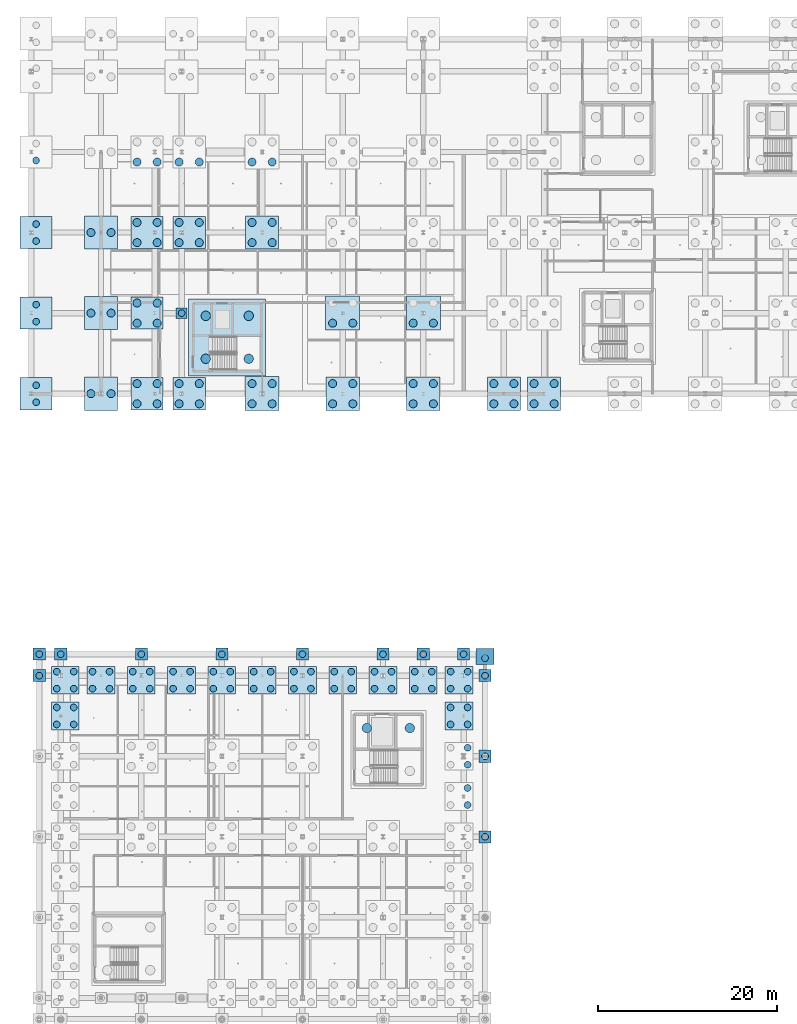
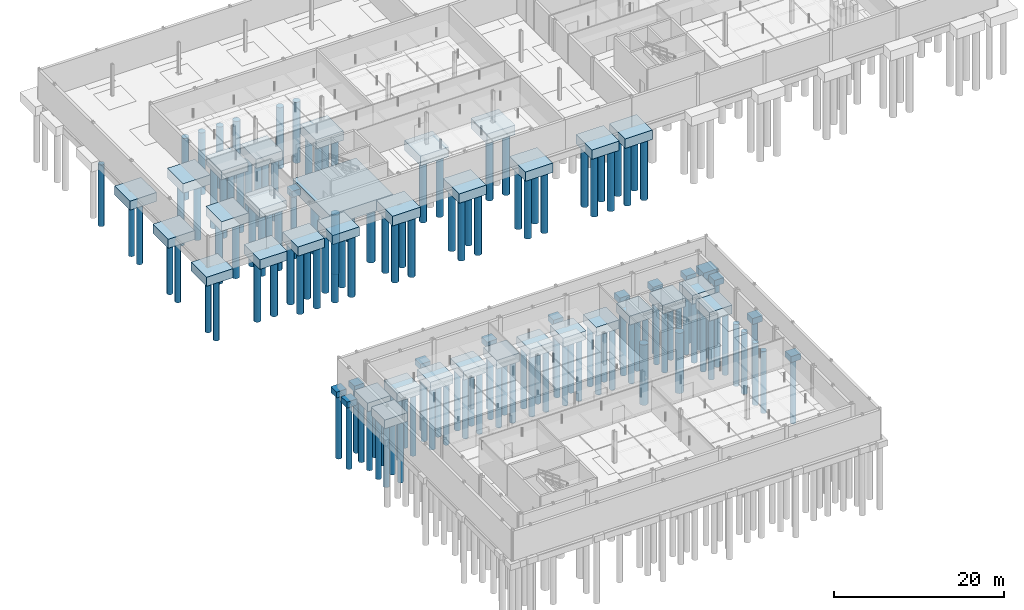
# One storey, part 2 of 48: 143 piles, 47 footings.
"""IFC4 building model written with IfcOpenShell, lengths in metres."""

from ifc_helpers import new_model, si_unit, direction, frame, origin, origin_2d, place, context, subcontext, project, spatial, rectangle, circle, extrude, material, material_profile, profile_set, type_object, element, save


model = new_model("IFC4")

# Units and contexts
model_context = context("Model", 3, precision=1e-05, world=origin(), true_north=direction((0.0, 1.0)))
body_context = subcontext(model_context, "Body", "Model", "MODEL_VIEW")
ifc_project = project(units=[si_unit("LENGTHUNIT", "METRE"), si_unit("AREAUNIT", "SQUARE_METRE"), si_unit("VOLUMEUNIT", "CUBIC_METRE"), si_unit("PLANEANGLEUNIT", "RADIAN"), si_unit("MASSUNIT", "GRAM", prefix="KILO"), si_unit("THERMODYNAMICTEMPERATUREUNIT", "KELVIN"), si_unit("POWERUNIT", "WATT")], contexts=[model_context])

# Site, building, storey
site_placement = place(None, origin())
site = spatial("IfcSite", under=ifc_project, at=site_placement, CompositionType="ELEMENT")
building_placement = place(site_placement, origin())
building = spatial("IfcBuilding", under=site, at=building_placement, Name="Tallowbark Science Centre", CompositionType="ELEMENT")
storey_placement = place(building_placement, frame((0.0, 0.0, -4.5)))
storey = spatial("IfcBuildingStorey", under=building, at=storey_placement, Name="B1", CompositionType="ELEMENT", Elevation=-4.5)

# Footings
ifc_material = material(Name="Concrete Grade N40 (40 MPa)", Category="concrete")
footing_type_1 = type_object("IfcFootingType", Name="FTG-CORE-C1", PredefinedType="PILE_CAP", material=ifc_material)
footing_1_placement = place(storey_placement, frame((77.10009765625, 78.300048828125, -1.60009765625), z_axis=(0.0, 0.0, 1.0), x_axis=(1.0, 0.0, 0.0)))
element("IfcFooting", 1, at=footing_1_placement, inside=storey, type_object=footing_type_1, Name="Core Mat Pile Cap C1", PredefinedType="PILE_CAP", context=body_context, shape_type="SweptSolid", body=[
    extrude(rectangle(XDim=8.60009765625, YDim=8.60009765625, at=origin_2d()), origin(), (0.0, 0.0, 1.0), 1.60009765625),
])
footing_type_2 = type_object("IfcFootingType", Name="FTG-PC1-110", PredefinedType="PILE_CAP", material=ifc_material)
footing_2_placement = place(storey_placement, frame((72.0, 81.0, -0.89990234375), z_axis=(0.0, 0.0, 1.0), x_axis=(1.0, 0.0, 0.0)))
element("IfcFooting", 2, at=footing_2_placement, inside=storey, type_object=footing_type_2, Name="Pile Cap LAB-3_1", PredefinedType="PILE_CAP", context=body_context, shape_type="SweptSolid", body=[
    extrude(rectangle(XDim=1.199951171875, YDim=1.199951171875, at=origin_2d()), origin(), (0.0, 0.0, 1.0), 0.89990234375),
])
footing_type_3 = type_object("IfcFootingType", Name="FTG-PC1-130", PredefinedType="PILE_CAP", material=ifc_material)
for number, where, z_axis, x_axis, name in (
    (3, (56.10009765625, 42.89990234375, -0.85009765625), (0.0, 0.0, 1.0), (1.0, 0.0, 0.0), "Pile Cap SCR-N00"),
    (4, (58.5, 42.89990234375, -0.85009765625), (0.0, 0.0, 1.0), (1.0, 0.0, 0.0), "Pile Cap SCR-N01"),
    (5, (67.5, 42.89990234375, -0.85009765625), (0.0, 0.0, 1.0), (1.0, 0.0, 0.0), "Pile Cap SCR-N02"),
    (6, (76.5, 42.89990234375, -0.85009765625), (0.0, 0.0, 1.0), (1.0, 0.0, 0.0), "Pile Cap SCR-N03"),
    (7, (85.5, 42.89990234375, -0.85009765625), (0.0, 0.0, 1.0), (1.0, 0.0, 0.0), "Pile Cap SCR-N04"),
    (8, (94.5, 42.89990234375, -0.85009765625), (0.0, 0.0, 1.0), (1.0, 0.0, 0.0), "Pile Cap SCR-N05"),
    (9, (103.5, 42.89990234375, -0.85009765625), (0.0, 0.0, 1.0), (1.0, 0.0, 0.0), "Pile Cap SCR-N06"),
    (10, (99.0, 42.89990234375, -0.85009765625), (0.0, 0.0, 1.0), (1.0, 0.0, 0.0), "Pile Cap SCR-NLNK"),
    (11, (105.89990234375, 22.5, -0.85009765625), (0.0, 0.0, 1.0), (1.0, 0.0, 0.0), "Pile Cap SCR-E03"),
    (12, (105.89990234375, 31.5, -0.85009765625), (0.0, 0.0, 1.0), (1.0, 0.0, 0.0), "Pile Cap SCR-E04"),
    (13, (56.10009765625, 40.5, -0.85009765625), (0.0, 0.0, 1.0), (1.0, 0.0, 0.0), "Pile Cap SCR-W05"),
    (14, (105.89990234375, 40.5, -0.85009765625), (0.0, 0.0, 1.0), (1.0, 0.0, 0.0), "Pile Cap SCR-E05"),
):
    element("IfcFooting", number, at=place(storey_placement, frame(where, z_axis=z_axis, x_axis=x_axis)), inside=storey, type_object=footing_type_3, Name=name, PredefinedType="PILE_CAP", context=body_context, shape_type="SweptSolid", body=[
        extrude(rectangle(XDim=1.35009765625, YDim=1.35009765625, at=origin_2d()), origin(), (0.0, 0.0, 1.0), 0.85009765625),
    ])
footing_type_4 = type_object("IfcFootingType", Name="FTG-PC1-160", PredefinedType="PILE_CAP", material=ifc_material)
footing_3_placement = place(storey_placement, frame((105.89990234375, 42.64990234375, -1.0), z_axis=(0.0, 0.0, 1.0), x_axis=(1.0, 0.0, 0.0)))
element("IfcFooting", 15, at=footing_3_placement, inside=storey, type_object=footing_type_4, Name="Pile Cap SCR-N07", PredefinedType="PILE_CAP", context=body_context, shape_type="SweptSolid", body=[
    extrude(rectangle(XDim=2.0, YDim=1.800048828125, at=origin_2d()), origin(), (0.0, 0.0, 1.0), 1.0),
])
footing_type_5 = type_object("IfcFootingType", Name="FTG-PC4-230", PredefinedType="PILE_CAP", material=ifc_material)
for number, where, z_axis, x_axis, name in (
    (16, (59.0, 40.0, -1.25), (0.0, 0.0, 1.0), (1.0, 0.0, 0.0), "Pile Cap CUB-M0_4"),
    (17, (67.5, 40.0, -1.25), (0.0, 0.0, 1.0), (1.0, 0.0, 0.0), "Pile Cap CUB-M1_4"),
    (18, (76.5, 40.0, -1.25), (0.0, 0.0, 1.0), (1.0, 0.0, 0.0), "Pile Cap CUB-M2_4"),
    (19, (85.5, 40.0, -1.25), (0.0, 0.0, 1.0), (1.0, 0.0, 0.0), "Pile Cap CUB-M3_4"),
    (20, (94.5, 40.0, -1.25), (0.0, 0.0, 1.0), (1.0, 0.0, 0.0), "Pile Cap CUB-M4_4"),
    (21, (103.0, 40.0, -1.25), (0.0, 0.0, 1.0), (1.0, 0.0, 0.0), "Pile Cap CUB-M5_4"),
    (22, (63.0, 40.0, -1.25), (0.0, 0.0, 1.0), (1.0, 0.0, 0.0), "Pile Cap CUB-PN-0"),
    (23, (72.0, 40.0, -1.25), (0.0, 0.0, 1.0), (1.0, 0.0, 0.0), "Pile Cap CUB-PN-1"),
    (24, (81.0, 40.0, -1.25), (0.0, 0.0, 1.0), (1.0, 0.0, 0.0), "Pile Cap CUB-PN-2"),
    (25, (90.0, 40.0, -1.25), (0.0, 0.0, 1.0), (1.0, 0.0, 0.0), "Pile Cap CUB-PN-3"),
    (26, (99.0, 40.0, -1.25), (0.0, 0.0, 1.0), (1.0, 0.0, 0.0), "Pile Cap CUB-PN-4"),
    (27, (59.0, 36.0, -1.25), (0.0, 0.0, 1.0), (1.0, 0.0, 0.0), "Pile Cap CUB-PW-3"),
    (28, (103.0, 36.0, -1.25), (0.0, 0.0, 1.0), (1.0, 0.0, 0.0), "Pile Cap CUB-PE-3"),
):
    element("IfcFooting", number, at=place(storey_placement, frame(where, z_axis=z_axis, x_axis=x_axis)), inside=storey, type_object=footing_type_5, Name=name, PredefinedType="PILE_CAP", context=body_context, shape_type="SweptSolid", body=[
        extrude(rectangle(XDim=3.10009765625, YDim=3.10009765625, at=origin_2d()), origin(), (0.0, 0.0, 1.0), 1.25),
    ])
footing_type_6 = type_object("IfcFootingType", Name="FTG-PC4-260", PredefinedType="PILE_CAP", material=ifc_material)
for number, where, z_axis, x_axis, name in (
    (29, (55.75, 72.0, -1.2998046875), (0.0, 0.0, 1.0), (1.0, 0.0, 0.0), "Pile Cap LAB-0_0"),
    (30, (55.75, 81.0, -1.2998046875), (0.0, 0.0, 1.0), (1.0, 0.0, 0.0), "Pile Cap LAB-0_1"),
    (31, (55.75, 90.0, -1.2998046875), (0.0, 0.0, 1.0), (1.0, 0.0, 0.0), "Pile Cap LAB-0_2"),
    (32, (68.14990234375, 72.0, -1.2998046875), (0.0, 0.0, 1.0), (1.0, 0.0, 0.0), "Pile Cap LAB-2_0"),
    (33, (68.14990234375, 81.0, -1.2998046875), (0.0, 0.0, 1.0), (1.0, 0.0, 0.0), "Pile Cap LAB-2_1"),
    (34, (68.14990234375, 90.0, -1.2998046875), (0.0, 0.0, 1.0), (1.0, 0.0, 0.0), "Pile Cap LAB-2_2"),
    (35, (72.85009765625, 72.0, -1.2998046875), (0.0, 0.0, 1.0), (1.0, 0.0, 0.0), "Pile Cap LAB-3_0"),
    (36, (72.85009765625, 90.0, -1.2998046875), (0.0, 0.0, 1.0), (1.0, 0.0, 0.0), "Pile Cap LAB-3_2"),
):
    element("IfcFooting", number, at=place(storey_placement, frame(where, z_axis=z_axis, x_axis=x_axis)), inside=storey, type_object=footing_type_6, Name=name, PredefinedType="PILE_CAP", context=body_context, shape_type="SweptSolid", body=[
        extrude(rectangle(XDim=3.60009765625, YDim=3.60009765625, at=origin_2d()), origin(), (0.0, 0.0, 1.0), 1.300048828125),
    ])
footing_type_7 = type_object("IfcFootingType", Name="FTG-PC4-270", PredefinedType="PILE_CAP", material=ifc_material)
for number, where, z_axis, x_axis, name in (
    (37, (63.0, 72.0, -1.35009765625), (0.0, 0.0, 1.0), (1.0, 0.0, 0.0), "Pile Cap LAB-1_0"),
    (38, (63.0, 81.0, -1.35009765625), (0.0, 0.0, 1.0), (1.0, 0.0, 0.0), "Pile Cap LAB-1_1"),
    (39, (63.0, 90.0, -1.35009765625), (0.0, 0.0, 1.0), (1.0, 0.0, 0.0), "Pile Cap LAB-1_2"),
    (40, (81.0, 90.0, -1.35009765625), (0.0, 0.0, 1.0), (1.0, 0.0, 0.0), "Pile Cap LAB-4_2"),
    (41, (90.0, 72.0, -1.35009765625), (0.0, 0.0, 1.0), (1.0, 0.0, 0.0), "Pile Cap LAB-5_0"),
    (42, (99.0, 72.0, -1.35009765625), (0.0, 0.0, 1.0), (1.0, 0.0, 0.0), "Pile Cap LAB-6_0"),
    (43, (108.0, 72.0, -1.35009765625), (0.0, 0.0, 1.0), (1.0, 0.0, 0.0), "Pile Cap LAB-7_0"),
    (44, (112.5, 72.0, -1.35009765625), (0.0, 0.0, 1.0), (1.0, 0.0, 0.0), "Pile Cap LAB-8_0"),
):
    element("IfcFooting", number, at=place(storey_placement, frame(where, z_axis=z_axis, x_axis=x_axis)), inside=storey, type_object=footing_type_7, Name=name, PredefinedType="PILE_CAP", context=body_context, shape_type="SweptSolid", body=[
        extrude(rectangle(XDim=3.699951171875, YDim=3.699951171875, at=origin_2d()), origin(), (0.0, 0.0, 1.0), 1.35009765625),
    ])
footing_type_8 = type_object("IfcFootingType", Name="FTG-PC4-280", PredefinedType="PILE_CAP", material=ifc_material)
for number, where, z_axis, x_axis, name in (
    (45, (81.0, 72.0, -1.39990234375), (0.0, 0.0, 1.0), (1.0, 0.0, 0.0), "Pile Cap LAB-4_0"),
    (46, (90.0, 81.0, -1.39990234375), (0.0, 0.0, 1.0), (1.0, 0.0, 0.0), "Pile Cap LAB-5_1"),
    (47, (99.0, 81.0, -1.39990234375), (0.0, 0.0, 1.0), (1.0, 0.0, 0.0), "Pile Cap LAB-6_1"),
):
    element("IfcFooting", number, at=place(storey_placement, frame(where, z_axis=z_axis, x_axis=x_axis)), inside=storey, type_object=footing_type_8, Name=name, PredefinedType="PILE_CAP", context=body_context, shape_type="SweptSolid", body=[
        extrude(rectangle(XDim=3.800048828125, YDim=3.800048828125, at=origin_2d()), origin(), (0.0, 0.0, 1.0), 1.39990234375),
    ])

# Piles
ifc_material_profile_1 = material_profile(ifc_material, circle(Radius=0.52490234375, at=origin_2d()), Name="PILE1050")
ifc_profile_set_1 = profile_set([ifc_material_profile_1], Name="Concrete Grade N40 (40 MPa)")
pile_type_1 = type_object("IfcPileType", Name="PIL-B1050", PredefinedType="BORED", material=ifc_profile_set_1)
for number, where, z_axis, x_axis, name in (
    (48, (74.699951171875, 75.89990234375, -1.449951171875), (0.0, 0.0, -1.0), (1.0, 0.0, 0.0), "Core Bored Pile C1-1"),
    (49, (79.5, 75.89990234375, -1.449951171875), (0.0, 0.0, -1.0), (1.0, 0.0, 0.0), "Core Bored Pile C1-2"),
    (50, (74.699951171875, 80.699951171875, -1.449951171875), (0.0, 0.0, -1.0), (1.0, 0.0, 0.0), "Core Bored Pile C1-3"),
    (51, (79.5, 80.699951171875, -1.449951171875), (0.0, 0.0, -1.0), (1.0, 0.0, 0.0), "Core Bored Pile C1-4"),
):
    element("IfcPile", number, at=place(storey_placement, frame(where, z_axis=z_axis, x_axis=x_axis)), inside=storey, type_object=pile_type_1, Name=name, PredefinedType="BORED", context=body_context, shape_type="SweptSolid", body=[
        extrude(circle(Radius=0.52490234375, at=origin_2d()), origin(), (0.0, 0.0, 1.0), 8.550048828125),
    ])
for number, where, z_axis, x_axis, name in (
    (52, (92.699951171875, 34.64990234375, -1.35009765625), (0.0, 0.0, -1.0), (1.0, 0.0, 0.0), "Core Bored Pile C3-3"),
    (53, (97.5, 34.64990234375, -1.35009765625), (0.0, 0.0, -1.0), (1.0, 0.0, 0.0), "Core Bored Pile C3-4"),
):
    element("IfcPile", number, at=place(storey_placement, frame(where, z_axis=z_axis, x_axis=x_axis)), inside=storey, type_object=pile_type_1, Name=name, PredefinedType="BORED", context=body_context, shape_type="SweptSolid", body=[
        extrude(circle(Radius=0.52490234375, at=origin_2d()), origin(), (0.0, 0.0, 1.0), 8.64990234375),
    ])
ifc_material_profile_2 = material_profile(ifc_material, circle(Radius=0.375, at=origin_2d()), Name="PILE750")
ifc_profile_set_2 = profile_set([ifc_material_profile_2], Name="Concrete Grade N40 (40 MPa)")
pile_type_2 = type_object("IfcPileType", Name="PIL-B750", PredefinedType="BORED", material=ifc_profile_set_2)
for number, where, z_axis, x_axis, name in (
    (54, (58.050048828125, 39.050048828125, -1.10009765625), (0.0, 0.0, -1.0), (1.0, 0.0, 0.0), "Bored Pile CUB-M0_4-1"),
    (55, (59.949951171875, 39.050048828125, -1.10009765625), (0.0, 0.0, -1.0), (1.0, 0.0, 0.0), "Bored Pile CUB-M0_4-2"),
    (56, (58.050048828125, 40.949951171875, -1.10009765625), (0.0, 0.0, -1.0), (1.0, 0.0, 0.0), "Bored Pile CUB-M0_4-3"),
    (57, (59.949951171875, 40.949951171875, -1.10009765625), (0.0, 0.0, -1.0), (1.0, 0.0, 0.0), "Bored Pile CUB-M0_4-4"),
    (58, (66.550048828125, 39.050048828125, -1.10009765625), (0.0, 0.0, -1.0), (1.0, 0.0, 0.0), "Bored Pile CUB-M1_4-1"),
    (59, (68.449951171875, 39.050048828125, -1.10009765625), (0.0, 0.0, -1.0), (1.0, 0.0, 0.0), "Bored Pile CUB-M1_4-2"),
    (60, (66.550048828125, 40.949951171875, -1.10009765625), (0.0, 0.0, -1.0), (1.0, 0.0, 0.0), "Bored Pile CUB-M1_4-3"),
    (61, (68.449951171875, 40.949951171875, -1.10009765625), (0.0, 0.0, -1.0), (1.0, 0.0, 0.0), "Bored Pile CUB-M1_4-4"),
    (62, (75.550048828125, 39.050048828125, -1.10009765625), (0.0, 0.0, -1.0), (1.0, 0.0, 0.0), "Bored Pile CUB-M2_4-1"),
    (63, (77.449951171875, 39.050048828125, -1.10009765625), (0.0, 0.0, -1.0), (1.0, 0.0, 0.0), "Bored Pile CUB-M2_4-2"),
    (64, (75.550048828125, 40.949951171875, -1.10009765625), (0.0, 0.0, -1.0), (1.0, 0.0, 0.0), "Bored Pile CUB-M2_4-3"),
    (65, (77.449951171875, 40.949951171875, -1.10009765625), (0.0, 0.0, -1.0), (1.0, 0.0, 0.0), "Bored Pile CUB-M2_4-4"),
    (66, (84.550048828125, 39.050048828125, -1.10009765625), (0.0, 0.0, -1.0), (1.0, 0.0, 0.0), "Bored Pile CUB-M3_4-1"),
    (67, (86.449951171875, 39.050048828125, -1.10009765625), (0.0, 0.0, -1.0), (1.0, 0.0, 0.0), "Bored Pile CUB-M3_4-2"),
    (68, (84.550048828125, 40.949951171875, -1.10009765625), (0.0, 0.0, -1.0), (1.0, 0.0, 0.0), "Bored Pile CUB-M3_4-3"),
    (69, (86.449951171875, 40.949951171875, -1.10009765625), (0.0, 0.0, -1.0), (1.0, 0.0, 0.0), "Bored Pile CUB-M3_4-4"),
    (70, (93.550048828125, 39.050048828125, -1.10009765625), (0.0, 0.0, -1.0), (1.0, 0.0, 0.0), "Bored Pile CUB-M4_4-1"),
    (71, (95.449951171875, 39.050048828125, -1.10009765625), (0.0, 0.0, -1.0), (1.0, 0.0, 0.0), "Bored Pile CUB-M4_4-2"),
    (72, (93.550048828125, 40.949951171875, -1.10009765625), (0.0, 0.0, -1.0), (1.0, 0.0, 0.0), "Bored Pile CUB-M4_4-3"),
    (73, (95.449951171875, 40.949951171875, -1.10009765625), (0.0, 0.0, -1.0), (1.0, 0.0, 0.0), "Bored Pile CUB-M4_4-4"),
    (74, (103.949951171875, 30.550048828125, -1.10009765625), (0.0, 0.0, -1.0), (1.0, 0.0, 0.0), "Bored Pile CUB-M5_3-2"),
    (75, (103.949951171875, 32.449951171875, -1.10009765625), (0.0, 0.0, -1.0), (1.0, 0.0, 0.0), "Bored Pile CUB-M5_3-4"),
    (76, (102.050048828125, 39.050048828125, -1.10009765625), (0.0, 0.0, -1.0), (1.0, 0.0, 0.0), "Bored Pile CUB-M5_4-1"),
    (77, (103.949951171875, 39.050048828125, -1.10009765625), (0.0, 0.0, -1.0), (1.0, 0.0, 0.0), "Bored Pile CUB-M5_4-2"),
    (78, (102.050048828125, 40.949951171875, -1.10009765625), (0.0, 0.0, -1.0), (1.0, 0.0, 0.0), "Bored Pile CUB-M5_4-3"),
    (79, (103.949951171875, 40.949951171875, -1.10009765625), (0.0, 0.0, -1.0), (1.0, 0.0, 0.0), "Bored Pile CUB-M5_4-4"),
    (80, (62.050048828125, 39.050048828125, -1.10009765625), (0.0, 0.0, -1.0), (1.0, 0.0, 0.0), "Bored Pile CUB-PN-0-1"),
    (81, (63.949951171875, 39.050048828125, -1.10009765625), (0.0, 0.0, -1.0), (1.0, 0.0, 0.0), "Bored Pile CUB-PN-0-2"),
    (82, (62.050048828125, 40.949951171875, -1.10009765625), (0.0, 0.0, -1.0), (1.0, 0.0, 0.0), "Bored Pile CUB-PN-0-3"),
    (83, (63.949951171875, 40.949951171875, -1.10009765625), (0.0, 0.0, -1.0), (1.0, 0.0, 0.0), "Bored Pile CUB-PN-0-4"),
    (84, (71.050048828125, 39.050048828125, -1.10009765625), (0.0, 0.0, -1.0), (1.0, 0.0, 0.0), "Bored Pile CUB-PN-1-1"),
    (85, (72.949951171875, 39.050048828125, -1.10009765625), (0.0, 0.0, -1.0), (1.0, 0.0, 0.0), "Bored Pile CUB-PN-1-2"),
    (86, (71.050048828125, 40.949951171875, -1.10009765625), (0.0, 0.0, -1.0), (1.0, 0.0, 0.0), "Bored Pile CUB-PN-1-3"),
    (87, (72.949951171875, 40.949951171875, -1.10009765625), (0.0, 0.0, -1.0), (1.0, 0.0, 0.0), "Bored Pile CUB-PN-1-4"),
    (88, (80.050048828125, 39.050048828125, -1.10009765625), (0.0, 0.0, -1.0), (1.0, 0.0, 0.0), "Bored Pile CUB-PN-2-1"),
    (89, (81.949951171875, 39.050048828125, -1.10009765625), (0.0, 0.0, -1.0), (1.0, 0.0, 0.0), "Bored Pile CUB-PN-2-2"),
    (90, (80.050048828125, 40.949951171875, -1.10009765625), (0.0, 0.0, -1.0), (1.0, 0.0, 0.0), "Bored Pile CUB-PN-2-3"),
    (91, (81.949951171875, 40.949951171875, -1.10009765625), (0.0, 0.0, -1.0), (1.0, 0.0, 0.0), "Bored Pile CUB-PN-2-4"),
    (92, (89.050048828125, 39.050048828125, -1.10009765625), (0.0, 0.0, -1.0), (1.0, 0.0, 0.0), "Bored Pile CUB-PN-3-1"),
    (93, (90.949951171875, 39.050048828125, -1.10009765625), (0.0, 0.0, -1.0), (1.0, 0.0, 0.0), "Bored Pile CUB-PN-3-2"),
    (94, (89.050048828125, 40.949951171875, -1.10009765625), (0.0, 0.0, -1.0), (1.0, 0.0, 0.0), "Bored Pile CUB-PN-3-3"),
    (95, (90.949951171875, 40.949951171875, -1.10009765625), (0.0, 0.0, -1.0), (1.0, 0.0, 0.0), "Bored Pile CUB-PN-3-4"),
    (96, (98.050048828125, 39.050048828125, -1.10009765625), (0.0, 0.0, -1.0), (1.0, 0.0, 0.0), "Bored Pile CUB-PN-4-1"),
    (97, (99.949951171875, 39.050048828125, -1.10009765625), (0.0, 0.0, -1.0), (1.0, 0.0, 0.0), "Bored Pile CUB-PN-4-2"),
    (98, (98.050048828125, 40.949951171875, -1.10009765625), (0.0, 0.0, -1.0), (1.0, 0.0, 0.0), "Bored Pile CUB-PN-4-3"),
    (99, (99.949951171875, 40.949951171875, -1.10009765625), (0.0, 0.0, -1.0), (1.0, 0.0, 0.0), "Bored Pile CUB-PN-4-4"),
    (100, (103.949951171875, 26.050048828125, -1.10009765625), (0.0, 0.0, -1.0), (1.0, 0.0, 0.0), "Bored Pile CUB-PE-2-2"),
    (101, (103.949951171875, 27.949951171875, -1.10009765625), (0.0, 0.0, -1.0), (1.0, 0.0, 0.0), "Bored Pile CUB-PE-2-4"),
    (102, (58.050048828125, 35.050048828125, -1.10009765625), (0.0, 0.0, -1.0), (1.0, 0.0, 0.0), "Bored Pile CUB-PW-3-1"),
    (103, (59.949951171875, 35.050048828125, -1.10009765625), (0.0, 0.0, -1.0), (1.0, 0.0, 0.0), "Bored Pile CUB-PW-3-2"),
    (104, (58.050048828125, 36.949951171875, -1.10009765625), (0.0, 0.0, -1.0), (1.0, 0.0, 0.0), "Bored Pile CUB-PW-3-3"),
    (105, (59.949951171875, 36.949951171875, -1.10009765625), (0.0, 0.0, -1.0), (1.0, 0.0, 0.0), "Bored Pile CUB-PW-3-4"),
    (106, (102.050048828125, 35.050048828125, -1.10009765625), (0.0, 0.0, -1.0), (1.0, 0.0, 0.0), "Bored Pile CUB-PE-3-1"),
    (107, (103.949951171875, 35.050048828125, -1.10009765625), (0.0, 0.0, -1.0), (1.0, 0.0, 0.0), "Bored Pile CUB-PE-3-2"),
    (108, (102.050048828125, 36.949951171875, -1.10009765625), (0.0, 0.0, -1.0), (1.0, 0.0, 0.0), "Bored Pile CUB-PE-3-3"),
    (109, (103.949951171875, 36.949951171875, -1.10009765625), (0.0, 0.0, -1.0), (1.0, 0.0, 0.0), "Bored Pile CUB-PE-3-4"),
):
    element("IfcPile", number, at=place(storey_placement, frame(where, z_axis=z_axis, x_axis=x_axis)), inside=storey, type_object=pile_type_2, Name=name, PredefinedType="BORED", context=body_context, shape_type="SweptSolid", body=[
        extrude(circle(Radius=0.375, at=origin_2d()), origin(), (0.0, 0.0, 1.0), 8.89990234375),
    ])
for number, where, z_axis, x_axis, name in (
    (110, (56.10009765625, 42.89990234375, -0.699951171875), (0.0, 0.0, -1.0), (1.0, 0.0, 0.0), "Bored Pile SCR-N00-1"),
    (111, (58.5, 42.89990234375, -0.699951171875), (0.0, 0.0, -1.0), (1.0, 0.0, 0.0), "Bored Pile SCR-N01-1"),
    (112, (67.5, 42.89990234375, -0.699951171875), (0.0, 0.0, -1.0), (1.0, 0.0, 0.0), "Bored Pile SCR-N02-1"),
    (113, (76.5, 42.89990234375, -0.699951171875), (0.0, 0.0, -1.0), (1.0, 0.0, 0.0), "Bored Pile SCR-N03-1"),
    (114, (85.5, 42.89990234375, -0.699951171875), (0.0, 0.0, -1.0), (1.0, 0.0, 0.0), "Bored Pile SCR-N04-1"),
    (115, (94.5, 42.89990234375, -0.699951171875), (0.0, 0.0, -1.0), (1.0, 0.0, 0.0), "Bored Pile SCR-N05-1"),
    (116, (103.5, 42.89990234375, -0.699951171875), (0.0, 0.0, -1.0), (1.0, 0.0, 0.0), "Bored Pile SCR-N06-1"),
):
    element("IfcPile", number, at=place(storey_placement, frame(where, z_axis=z_axis, x_axis=x_axis)), inside=storey, type_object=pile_type_2, Name=name, PredefinedType="BORED", context=body_context, shape_type="SweptSolid", body=[
        extrude(circle(Radius=0.375, at=origin_2d()), origin(), (0.0, 0.0, 1.0), 9.300048828125),
    ])
pile_1_placement = place(storey_placement, frame((105.89990234375, 42.449951171875, -0.85009765625), z_axis=(0.0, 0.0, -1.0), x_axis=(1.0, 0.0, 0.0)))
element("IfcPile", 117, at=pile_1_placement, inside=storey, type_object=pile_type_2, Name="Bored Pile SCR-N07-1", PredefinedType="BORED", context=body_context, shape_type="SweptSolid", body=[
    extrude(circle(Radius=0.375, at=origin_2d()), origin(), (0.0, 0.0, 1.0), 9.14990234375),
])
for number, where, z_axis, x_axis, name in (
    (118, (99.0, 42.89990234375, -0.699951171875), (0.0, 0.0, -1.0), (1.0, 0.0, 0.0), "Bored Pile SCR-NLNK-1"),
    (119, (105.89990234375, 22.5, -0.699951171875), (0.0, 0.0, -1.0), (1.0, 0.0, 0.0), "Bored Pile SCR-E03-1"),
    (120, (105.89990234375, 31.5, -0.699951171875), (0.0, 0.0, -1.0), (1.0, 0.0, 0.0), "Bored Pile SCR-E04-1"),
    (121, (56.10009765625, 40.5, -0.699951171875), (0.0, 0.0, -1.0), (1.0, 0.0, 0.0), "Bored Pile SCR-W05-1"),
    (122, (105.89990234375, 40.5, -0.699951171875), (0.0, 0.0, -1.0), (1.0, 0.0, 0.0), "Bored Pile SCR-E05-1"),
):
    element("IfcPile", number, at=place(storey_placement, frame(where, z_axis=z_axis, x_axis=x_axis)), inside=storey, type_object=pile_type_2, Name=name, PredefinedType="BORED", context=body_context, shape_type="SweptSolid", body=[
        extrude(circle(Radius=0.375, at=origin_2d()), origin(), (0.0, 0.0, 1.0), 9.300048828125),
    ])
for number, where, z_axis, x_axis, name in (
    (123, (55.75, 71.050048828125, -1.14990234375), (0.0, 0.0, -1.0), (1.0, 0.0, 0.0), "Bored Pile LAB-0_0-1"),
    (124, (55.75, 72.949951171875, -1.14990234375), (0.0, 0.0, -1.0), (1.0, 0.0, 0.0), "Bored Pile LAB-0_0-2"),
    (125, (55.75, 80.050048828125, -1.14990234375), (0.0, 0.0, -1.0), (1.0, 0.0, 0.0), "Bored Pile LAB-0_1-1"),
    (126, (55.75, 81.949951171875, -1.14990234375), (0.0, 0.0, -1.0), (1.0, 0.0, 0.0), "Bored Pile LAB-0_1-2"),
    (127, (55.75, 89.050048828125, -1.14990234375), (0.0, 0.0, -1.0), (1.0, 0.0, 0.0), "Bored Pile LAB-0_2-1"),
    (128, (55.75, 90.949951171875, -1.14990234375), (0.0, 0.0, -1.0), (1.0, 0.0, 0.0), "Bored Pile LAB-0_2-2"),
    (129, (55.75, 98.050048828125, -1.14990234375), (0.0, 0.0, -1.0), (1.0, 0.0, 0.0), "Bored Pile LAB-0_3-1"),
):
    element("IfcPile", number, at=place(storey_placement, frame(where, z_axis=z_axis, x_axis=x_axis)), inside=storey, type_object=pile_type_2, Name=name, PredefinedType="BORED", context=body_context, shape_type="SweptSolid", body=[
        extrude(circle(Radius=0.375, at=origin_2d()), origin(), (0.0, 0.0, 1.0), 8.85009765625),
    ])
pile_2_placement = place(storey_placement, frame((72.0, 81.0, -0.75), z_axis=(0.0, 0.0, -1.0), x_axis=(1.0, 0.0, 0.0)))
element("IfcPile", 130, at=pile_2_placement, inside=storey, type_object=pile_type_2, Name="Bored Pile LAB-3_1-1", PredefinedType="BORED", context=body_context, shape_type="SweptSolid", body=[
    extrude(circle(Radius=0.375, at=origin_2d()), origin(), (0.0, 0.0, 1.0), 9.25),
])
ifc_material_profile_3 = material_profile(ifc_material, circle(Radius=0.449951171875, at=origin_2d()), Name="PILE900")
ifc_profile_set_3 = profile_set([ifc_material_profile_3], Name="Concrete Grade N40 (40 MPa)")
pile_type_3 = type_object("IfcPileType", Name="PIL-B900", PredefinedType="BORED", material=ifc_profile_set_3)
for number, where, z_axis, x_axis, name in (
    (131, (61.875, 72.0, -1.199951171875), (0.0, 0.0, -1.0), (1.0, 0.0, 0.0), "Bored Pile LAB-1_0-1"),
    (132, (64.125, 72.0, -1.199951171875), (0.0, 0.0, -1.0), (1.0, 0.0, 0.0), "Bored Pile LAB-1_0-2"),
    (133, (61.875, 81.0, -1.199951171875), (0.0, 0.0, -1.0), (1.0, 0.0, 0.0), "Bored Pile LAB-1_1-1"),
    (134, (64.125, 81.0, -1.199951171875), (0.0, 0.0, -1.0), (1.0, 0.0, 0.0), "Bored Pile LAB-1_1-2"),
    (135, (61.875, 90.0, -1.199951171875), (0.0, 0.0, -1.0), (1.0, 0.0, 0.0), "Bored Pile LAB-1_2-1"),
    (136, (64.125, 90.0, -1.199951171875), (0.0, 0.0, -1.0), (1.0, 0.0, 0.0), "Bored Pile LAB-1_2-2"),
):
    element("IfcPile", number, at=place(storey_placement, frame(where, z_axis=z_axis, x_axis=x_axis)), inside=storey, type_object=pile_type_3, Name=name, PredefinedType="BORED", context=body_context, shape_type="SweptSolid", body=[
        extrude(circle(Radius=0.449951171875, at=origin_2d()), origin(), (0.0, 0.0, 1.0), 8.800048828125),
    ])
for number, where, z_axis, x_axis, name in (
    (137, (67.02490234375, 70.875, -1.14990234375), (0.0, 0.0, -1.0), (1.0, 0.0, 0.0), "Bored Pile LAB-2_0-1"),
    (138, (69.27490234375, 70.875, -1.14990234375), (0.0, 0.0, -1.0), (1.0, 0.0, 0.0), "Bored Pile LAB-2_0-2"),
    (139, (67.02490234375, 73.125, -1.14990234375), (0.0, 0.0, -1.0), (1.0, 0.0, 0.0), "Bored Pile LAB-2_0-3"),
    (140, (69.27490234375, 73.125, -1.14990234375), (0.0, 0.0, -1.0), (1.0, 0.0, 0.0), "Bored Pile LAB-2_0-4"),
    (141, (67.02490234375, 79.875, -1.14990234375), (0.0, 0.0, -1.0), (1.0, 0.0, 0.0), "Bored Pile LAB-2_1-1"),
    (142, (69.27490234375, 79.875, -1.14990234375), (0.0, 0.0, -1.0), (1.0, 0.0, 0.0), "Bored Pile LAB-2_1-2"),
    (143, (67.02490234375, 82.125, -1.14990234375), (0.0, 0.0, -1.0), (1.0, 0.0, 0.0), "Bored Pile LAB-2_1-3"),
    (144, (69.27490234375, 82.125, -1.14990234375), (0.0, 0.0, -1.0), (1.0, 0.0, 0.0), "Bored Pile LAB-2_1-4"),
    (145, (67.02490234375, 88.875, -1.14990234375), (0.0, 0.0, -1.0), (1.0, 0.0, 0.0), "Bored Pile LAB-2_2-1"),
    (146, (69.27490234375, 88.875, -1.14990234375), (0.0, 0.0, -1.0), (1.0, 0.0, 0.0), "Bored Pile LAB-2_2-2"),
    (147, (67.02490234375, 91.125, -1.14990234375), (0.0, 0.0, -1.0), (1.0, 0.0, 0.0), "Bored Pile LAB-2_2-3"),
    (148, (69.27490234375, 91.125, -1.14990234375), (0.0, 0.0, -1.0), (1.0, 0.0, 0.0), "Bored Pile LAB-2_2-4"),
    (149, (67.02490234375, 97.875, -1.14990234375), (0.0, 0.0, -1.0), (1.0, 0.0, 0.0), "Bored Pile LAB-2_3-1"),
    (150, (69.27490234375, 97.875, -1.14990234375), (0.0, 0.0, -1.0), (1.0, 0.0, 0.0), "Bored Pile LAB-2_3-2"),
    (151, (71.72509765625, 70.875, -1.14990234375), (0.0, 0.0, -1.0), (1.0, 0.0, 0.0), "Bored Pile LAB-3_0-1"),
    (152, (73.97509765625, 70.875, -1.14990234375), (0.0, 0.0, -1.0), (1.0, 0.0, 0.0), "Bored Pile LAB-3_0-2"),
    (153, (71.72509765625, 73.125, -1.14990234375), (0.0, 0.0, -1.0), (1.0, 0.0, 0.0), "Bored Pile LAB-3_0-3"),
    (154, (73.97509765625, 73.125, -1.14990234375), (0.0, 0.0, -1.0), (1.0, 0.0, 0.0), "Bored Pile LAB-3_0-4"),
    (155, (71.72509765625, 88.875, -1.14990234375), (0.0, 0.0, -1.0), (1.0, 0.0, 0.0), "Bored Pile LAB-3_2-1"),
    (156, (73.97509765625, 88.875, -1.14990234375), (0.0, 0.0, -1.0), (1.0, 0.0, 0.0), "Bored Pile LAB-3_2-2"),
    (157, (71.72509765625, 91.125, -1.14990234375), (0.0, 0.0, -1.0), (1.0, 0.0, 0.0), "Bored Pile LAB-3_2-3"),
    (158, (73.97509765625, 91.125, -1.14990234375), (0.0, 0.0, -1.0), (1.0, 0.0, 0.0), "Bored Pile LAB-3_2-4"),
    (159, (71.72509765625, 97.875, -1.14990234375), (0.0, 0.0, -1.0), (1.0, 0.0, 0.0), "Bored Pile LAB-3_3-1"),
    (160, (73.97509765625, 97.875, -1.14990234375), (0.0, 0.0, -1.0), (1.0, 0.0, 0.0), "Bored Pile LAB-3_3-2"),
):
    element("IfcPile", number, at=place(storey_placement, frame(where, z_axis=z_axis, x_axis=x_axis)), inside=storey, type_object=pile_type_3, Name=name, PredefinedType="BORED", context=body_context, shape_type="SweptSolid", body=[
        extrude(circle(Radius=0.449951171875, at=origin_2d()), origin(), (0.0, 0.0, 1.0), 8.85009765625),
    ])
for number, where, z_axis, x_axis, name in (
    (161, (79.875, 70.875, -1.25), (0.0, 0.0, -1.0), (1.0, 0.0, 0.0), "Bored Pile LAB-4_0-1"),
    (162, (82.125, 70.875, -1.25), (0.0, 0.0, -1.0), (1.0, 0.0, 0.0), "Bored Pile LAB-4_0-2"),
    (163, (79.875, 73.125, -1.25), (0.0, 0.0, -1.0), (1.0, 0.0, 0.0), "Bored Pile LAB-4_0-3"),
    (164, (82.125, 73.125, -1.25), (0.0, 0.0, -1.0), (1.0, 0.0, 0.0), "Bored Pile LAB-4_0-4"),
):
    element("IfcPile", number, at=place(storey_placement, frame(where, z_axis=z_axis, x_axis=x_axis)), inside=storey, type_object=pile_type_3, Name=name, PredefinedType="BORED", context=body_context, shape_type="SweptSolid", body=[
        extrude(circle(Radius=0.449951171875, at=origin_2d()), origin(), (0.0, 0.0, 1.0), 8.75),
    ])
for number, where, z_axis, x_axis, name in (
    (165, (79.875, 88.875, -1.199951171875), (0.0, 0.0, -1.0), (1.0, 0.0, 0.0), "Bored Pile LAB-4_2-1"),
    (166, (82.125, 88.875, -1.199951171875), (0.0, 0.0, -1.0), (1.0, 0.0, 0.0), "Bored Pile LAB-4_2-2"),
    (167, (79.875, 91.125, -1.199951171875), (0.0, 0.0, -1.0), (1.0, 0.0, 0.0), "Bored Pile LAB-4_2-3"),
    (168, (82.125, 91.125, -1.199951171875), (0.0, 0.0, -1.0), (1.0, 0.0, 0.0), "Bored Pile LAB-4_2-4"),
):
    element("IfcPile", number, at=place(storey_placement, frame(where, z_axis=z_axis, x_axis=x_axis)), inside=storey, type_object=pile_type_3, Name=name, PredefinedType="BORED", context=body_context, shape_type="SweptSolid", body=[
        extrude(circle(Radius=0.449951171875, at=origin_2d()), origin(), (0.0, 0.0, 1.0), 8.800048828125),
    ])
for number, where, z_axis, x_axis, name in (
    (169, (79.875, 97.875, -1.25), (0.0, 0.0, -1.0), (1.0, 0.0, 0.0), "Bored Pile LAB-4_3-1"),
    (170, (82.125, 97.875, -1.25), (0.0, 0.0, -1.0), (1.0, 0.0, 0.0), "Bored Pile LAB-4_3-2"),
):
    element("IfcPile", number, at=place(storey_placement, frame(where, z_axis=z_axis, x_axis=x_axis)), inside=storey, type_object=pile_type_3, Name=name, PredefinedType="BORED", context=body_context, shape_type="SweptSolid", body=[
        extrude(circle(Radius=0.449951171875, at=origin_2d()), origin(), (0.0, 0.0, 1.0), 8.75),
    ])
for number, where, z_axis, x_axis, name in (
    (171, (88.875, 70.875, -1.199951171875), (0.0, 0.0, -1.0), (1.0, 0.0, 0.0), "Bored Pile LAB-5_0-1"),
    (172, (91.125, 70.875, -1.199951171875), (0.0, 0.0, -1.0), (1.0, 0.0, 0.0), "Bored Pile LAB-5_0-2"),
    (173, (88.875, 73.125, -1.199951171875), (0.0, 0.0, -1.0), (1.0, 0.0, 0.0), "Bored Pile LAB-5_0-3"),
    (174, (91.125, 73.125, -1.199951171875), (0.0, 0.0, -1.0), (1.0, 0.0, 0.0), "Bored Pile LAB-5_0-4"),
):
    element("IfcPile", number, at=place(storey_placement, frame(where, z_axis=z_axis, x_axis=x_axis)), inside=storey, type_object=pile_type_3, Name=name, PredefinedType="BORED", context=body_context, shape_type="SweptSolid", body=[
        extrude(circle(Radius=0.449951171875, at=origin_2d()), origin(), (0.0, 0.0, 1.0), 8.800048828125),
    ])
for number, where, z_axis, x_axis, name in (
    (175, (88.875, 79.875, -1.25), (0.0, 0.0, -1.0), (1.0, 0.0, 0.0), "Bored Pile LAB-5_1-1"),
    (176, (91.125, 79.875, -1.25), (0.0, 0.0, -1.0), (1.0, 0.0, 0.0), "Bored Pile LAB-5_1-2"),
):
    element("IfcPile", number, at=place(storey_placement, frame(where, z_axis=z_axis, x_axis=x_axis)), inside=storey, type_object=pile_type_3, Name=name, PredefinedType="BORED", context=body_context, shape_type="SweptSolid", body=[
        extrude(circle(Radius=0.449951171875, at=origin_2d()), origin(), (0.0, 0.0, 1.0), 8.75),
    ])
for number, where, z_axis, x_axis, name in (
    (177, (97.875, 70.875, -1.199951171875), (0.0, 0.0, -1.0), (1.0, 0.0, 0.0), "Bored Pile LAB-6_0-1"),
    (178, (100.125, 70.875, -1.199951171875), (0.0, 0.0, -1.0), (1.0, 0.0, 0.0), "Bored Pile LAB-6_0-2"),
    (179, (97.875, 73.125, -1.199951171875), (0.0, 0.0, -1.0), (1.0, 0.0, 0.0), "Bored Pile LAB-6_0-3"),
    (180, (100.125, 73.125, -1.199951171875), (0.0, 0.0, -1.0), (1.0, 0.0, 0.0), "Bored Pile LAB-6_0-4"),
):
    element("IfcPile", number, at=place(storey_placement, frame(where, z_axis=z_axis, x_axis=x_axis)), inside=storey, type_object=pile_type_3, Name=name, PredefinedType="BORED", context=body_context, shape_type="SweptSolid", body=[
        extrude(circle(Radius=0.449951171875, at=origin_2d()), origin(), (0.0, 0.0, 1.0), 8.800048828125),
    ])
for number, where, z_axis, x_axis, name in (
    (181, (97.875, 79.875, -1.25), (0.0, 0.0, -1.0), (1.0, 0.0, 0.0), "Bored Pile LAB-6_1-1"),
    (182, (100.125, 79.875, -1.25), (0.0, 0.0, -1.0), (1.0, 0.0, 0.0), "Bored Pile LAB-6_1-2"),
):
    element("IfcPile", number, at=place(storey_placement, frame(where, z_axis=z_axis, x_axis=x_axis)), inside=storey, type_object=pile_type_3, Name=name, PredefinedType="BORED", context=body_context, shape_type="SweptSolid", body=[
        extrude(circle(Radius=0.449951171875, at=origin_2d()), origin(), (0.0, 0.0, 1.0), 8.75),
    ])
for number, where, z_axis, x_axis, name in (
    (183, (106.875, 70.875, -1.199951171875), (0.0, 0.0, -1.0), (1.0, 0.0, 0.0), "Bored Pile LAB-7_0-1"),
    (184, (109.125, 70.875, -1.199951171875), (0.0, 0.0, -1.0), (1.0, 0.0, 0.0), "Bored Pile LAB-7_0-2"),
    (185, (106.875, 73.125, -1.199951171875), (0.0, 0.0, -1.0), (1.0, 0.0, 0.0), "Bored Pile LAB-7_0-3"),
    (186, (109.125, 73.125, -1.199951171875), (0.0, 0.0, -1.0), (1.0, 0.0, 0.0), "Bored Pile LAB-7_0-4"),
    (187, (111.375, 70.875, -1.199951171875), (0.0, 0.0, -1.0), (1.0, 0.0, 0.0), "Bored Pile LAB-8_0-1"),
    (188, (113.625, 70.875, -1.199951171875), (0.0, 0.0, -1.0), (1.0, 0.0, 0.0), "Bored Pile LAB-8_0-2"),
    (189, (111.375, 73.125, -1.199951171875), (0.0, 0.0, -1.0), (1.0, 0.0, 0.0), "Bored Pile LAB-8_0-3"),
    (190, (113.625, 73.125, -1.199951171875), (0.0, 0.0, -1.0), (1.0, 0.0, 0.0), "Bored Pile LAB-8_0-4"),
):
    element("IfcPile", number, at=place(storey_placement, frame(where, z_axis=z_axis, x_axis=x_axis)), inside=storey, type_object=pile_type_3, Name=name, PredefinedType="BORED", context=body_context, shape_type="SweptSolid", body=[
        extrude(circle(Radius=0.449951171875, at=origin_2d()), origin(), (0.0, 0.0, 1.0), 8.800048828125),
    ])

save(model, "model.ifc")
